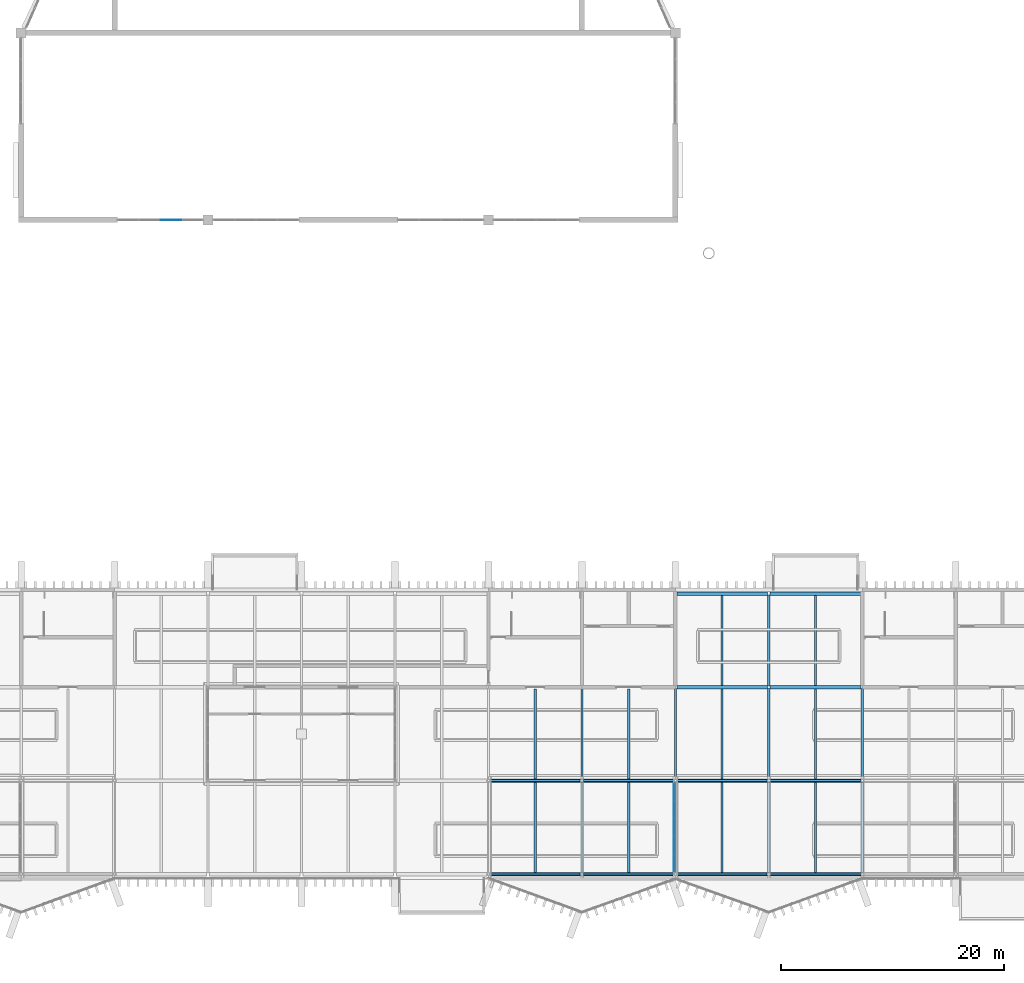
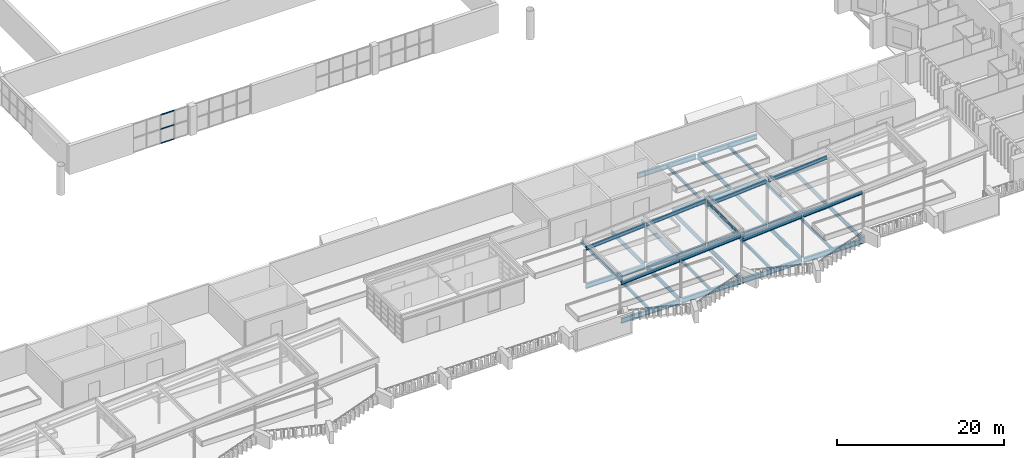
# One storey, part 16 of 51: 39 beams, 18 members, 2 elements without a shape of their own.
"""IFC4 building model written with IfcOpenShell, lengths in metres."""

from ifc_helpers import new_model, si_unit, direction, frame, origin, origin_2d, place, context, subcontext, project, spatial, rectangle, i_section, extrude, material, layer, layer_set, material_profile, profile_set, type_object, element, aggregate, save


model = new_model("IFC4")

# Units and contexts
model_context = context("Model", 3, precision=1e-05, world=origin(), true_north=direction((0.0, 1.0)))
body_context = subcontext(model_context, "Body", "Model", "MODEL_VIEW")
ifc_project = project(units=[si_unit("LENGTHUNIT", "METRE"), si_unit("AREAUNIT", "SQUARE_METRE"), si_unit("VOLUMEUNIT", "CUBIC_METRE"), si_unit("PLANEANGLEUNIT", "RADIAN"), si_unit("MASSUNIT", "GRAM", prefix="KILO")], contexts=[model_context])

# Site, building, storey
site_placement = place(None, origin())
site = spatial("IfcSite", under=ifc_project, at=site_placement, CompositionType="ELEMENT")
building_placement = place(site_placement, origin())
building = spatial("IfcBuilding", under=site, at=building_placement, Name="Cresset Court Congress Hotel", CompositionType="ELEMENT")
storey_placement = place(building_placement, frame((0.0, 0.0, 18.60009765625)))
storey = spatial("IfcBuildingStorey", under=building, at=storey_placement, Name="L04", CompositionType="ELEMENT", Elevation=18.60009765625)

# Curtain wall, members
ifc_material_1 = material(Name="Aluminium frame with double glazing", Category="aluminium")
ifc_layer_1 = layer(ifc_material_1, 0.199951171875)
ifc_layer_set_1 = layer_set([ifc_layer_1], Name="Glazed box curtain wall 1680 module")
curtain_wall_type_1 = type_object("IfcCurtainWallType", Name="Glazed box curtain wall 1680 module", PredefinedType="NOTDEFINED", material=ifc_layer_set_1)
curtain_wall_1_placement = place(storey_placement, origin())
curtain_wall_1 = element("IfcCurtainWall", 1, at=curtain_wall_1_placement, inside=storey, type_object=curtain_wall_type_1, Name="Roof light face 4", PredefinedType="NOTDEFINED")
ifc_material_2 = material(Name="Aluminium", Category="aluminium")
ifc_material_profile_1 = material_profile(ifc_material_2, rectangle(XDim=0.06005859375, YDim=0.1201171875, at=origin_2d()), Name="Box transom 60x120")
ifc_profile_set_1 = profile_set([ifc_material_profile_1], Name="Aluminium")
member_type_1 = type_object("IfcMemberType", Name="Box transom 60x120", PredefinedType="USERDEFINED", material=ifc_profile_set_1)
member_1_placement = place(storey_placement, frame((117.5, 0.260009765625, 5.929931640625), z_axis=(0.0, 1.0, 0.0), x_axis=(-1.0, 0.0, 0.0)))
member_1 = element("IfcMember", 2, at=member_1_placement, type_object=member_type_1, Name="B-X1 transom 1.1", ObjectType="TRANSOM", PredefinedType="USERDEFINED", context=body_context, shape_type="SweptSolid", body=[
    extrude(rectangle(XDim=0.06005859375, YDim=0.1201171875, at=origin_2d()), origin(), (0.0, 0.0, 1.0), 1.510009765625),
])
member_2_placement = place(storey_placement, frame((117.5, 0.260009765625, 6.087890625), z_axis=(0.0, 1.0, 0.0), x_axis=(-1.0, 0.0, 0.0)))
member_2 = element("IfcMember", 3, at=member_2_placement, type_object=member_type_1, Name="B-X1 transom 1.2", ObjectType="TRANSOM", PredefinedType="USERDEFINED", context=body_context, shape_type="SweptSolid", body=[
    extrude(rectangle(XDim=0.06005859375, YDim=0.1201171875, at=origin_2d()), origin(), (0.0, 0.0, 1.0), 1.510009765625),
])
member_3_placement = place(storey_placement, frame((117.5, 0.260009765625, 6.245849609375), z_axis=(0.0, 1.0, 0.0), x_axis=(-1.0, 0.0, 0.0)))
member_3 = element("IfcMember", 4, at=member_3_placement, type_object=member_type_1, Name="B-X1 transom 1.3", ObjectType="TRANSOM", PredefinedType="USERDEFINED", context=body_context, shape_type="SweptSolid", body=[
    extrude(rectangle(XDim=0.06005859375, YDim=0.1201171875, at=origin_2d()), origin(), (0.0, 0.0, 1.0), 1.510009765625),
])
member_4_placement = place(storey_placement, frame((117.5, 1.830078125, 5.929931640625), z_axis=(0.0, 1.0, 0.0), x_axis=(-1.0, 0.0, 0.0)))
member_4 = element("IfcMember", 5, at=member_4_placement, type_object=member_type_1, Name="B-X1 transom 2.1", ObjectType="TRANSOM", PredefinedType="USERDEFINED", context=body_context, shape_type="SweptSolid", body=[
    extrude(rectangle(XDim=0.06005859375, YDim=0.1201171875, at=origin_2d()), origin(), (0.0, 0.0, 1.0), 1.5400390625),
])
member_5_placement = place(storey_placement, frame((117.5, 1.830078125, 6.087890625), z_axis=(0.0, 1.0, 0.0), x_axis=(-1.0, 0.0, 0.0)))
member_5 = element("IfcMember", 6, at=member_5_placement, type_object=member_type_1, Name="B-X1 transom 2.2", ObjectType="TRANSOM", PredefinedType="USERDEFINED", context=body_context, shape_type="SweptSolid", body=[
    extrude(rectangle(XDim=0.06005859375, YDim=0.1201171875, at=origin_2d()), origin(), (0.0, 0.0, 1.0), 1.5400390625),
])
member_6_placement = place(storey_placement, frame((117.5, 1.830078125, 6.245849609375), z_axis=(0.0, 1.0, 0.0), x_axis=(-1.0, 0.0, 0.0)))
member_6 = element("IfcMember", 7, at=member_6_placement, type_object=member_type_1, Name="B-X1 transom 2.3", ObjectType="TRANSOM", PredefinedType="USERDEFINED", context=body_context, shape_type="SweptSolid", body=[
    extrude(rectangle(XDim=0.06005859375, YDim=0.1201171875, at=origin_2d()), origin(), (0.0, 0.0, 1.0), 1.5400390625),
])
member_7_placement = place(storey_placement, frame((117.5, 3.429931640625, 5.929931640625), z_axis=(0.0, 1.0, 0.0), x_axis=(-1.0, 0.0, 0.0)))
member_7 = element("IfcMember", 8, at=member_7_placement, type_object=member_type_1, Name="B-X1 transom 3.1", ObjectType="TRANSOM", PredefinedType="USERDEFINED", context=body_context, shape_type="SweptSolid", body=[
    extrude(rectangle(XDim=0.06005859375, YDim=0.1201171875, at=origin_2d()), origin(), (0.0, 0.0, 1.0), 1.5400390625),
])
member_8_placement = place(storey_placement, frame((117.5, 3.429931640625, 6.087890625), z_axis=(0.0, 1.0, 0.0), x_axis=(-1.0, 0.0, 0.0)))
member_8 = element("IfcMember", 9, at=member_8_placement, type_object=member_type_1, Name="B-X1 transom 3.2", ObjectType="TRANSOM", PredefinedType="USERDEFINED", context=body_context, shape_type="SweptSolid", body=[
    extrude(rectangle(XDim=0.06005859375, YDim=0.1201171875, at=origin_2d()), origin(), (0.0, 0.0, 1.0), 1.5400390625),
])
member_9_placement = place(storey_placement, frame((117.5, 3.429931640625, 6.245849609375), z_axis=(0.0, 1.0, 0.0), x_axis=(-1.0, 0.0, 0.0)))
member_9 = element("IfcMember", 10, at=member_9_placement, type_object=member_type_1, Name="B-X1 transom 3.3", ObjectType="TRANSOM", PredefinedType="USERDEFINED", context=body_context, shape_type="SweptSolid", body=[
    extrude(rectangle(XDim=0.06005859375, YDim=0.1201171875, at=origin_2d()), origin(), (0.0, 0.0, 1.0), 1.5400390625),
])
member_10_placement = place(storey_placement, frame((117.5, 5.030029296875, 5.929931640625), z_axis=(0.0, 1.0, 0.0), x_axis=(-1.0, 0.0, 0.0)))
member_10 = element("IfcMember", 11, at=member_10_placement, type_object=member_type_1, Name="B-X1 transom 4.1", ObjectType="TRANSOM", PredefinedType="USERDEFINED", context=body_context, shape_type="SweptSolid", body=[
    extrude(rectangle(XDim=0.06005859375, YDim=0.1201171875, at=origin_2d()), origin(), (0.0, 0.0, 1.0), 1.5400390625),
])
member_11_placement = place(storey_placement, frame((117.5, 5.030029296875, 6.087890625), z_axis=(0.0, 1.0, 0.0), x_axis=(-1.0, 0.0, 0.0)))
member_11 = element("IfcMember", 12, at=member_11_placement, type_object=member_type_1, Name="B-X1 transom 4.2", ObjectType="TRANSOM", PredefinedType="USERDEFINED", context=body_context, shape_type="SweptSolid", body=[
    extrude(rectangle(XDim=0.06005859375, YDim=0.1201171875, at=origin_2d()), origin(), (0.0, 0.0, 1.0), 1.5400390625),
])
member_12_placement = place(storey_placement, frame((117.5, 5.030029296875, 6.245849609375), z_axis=(0.0, 1.0, 0.0), x_axis=(-1.0, 0.0, 0.0)))
member_12 = element("IfcMember", 13, at=member_12_placement, type_object=member_type_1, Name="B-X1 transom 4.3", ObjectType="TRANSOM", PredefinedType="USERDEFINED", context=body_context, shape_type="SweptSolid", body=[
    extrude(rectangle(XDim=0.06005859375, YDim=0.1201171875, at=origin_2d()), origin(), (0.0, 0.0, 1.0), 1.5400390625),
])
member_13_placement = place(storey_placement, frame((117.5, 6.6298828125, 5.929931640625), z_axis=(0.0, 1.0, 0.0), x_axis=(-1.0, 0.0, 0.0)))
member_13 = element("IfcMember", 14, at=member_13_placement, type_object=member_type_1, Name="B-X1 transom 5.1", ObjectType="TRANSOM", PredefinedType="USERDEFINED", context=body_context, shape_type="SweptSolid", body=[
    extrude(rectangle(XDim=0.06005859375, YDim=0.1201171875, at=origin_2d()), origin(), (0.0, 0.0, 1.0), 1.510009765625),
])
member_14_placement = place(storey_placement, frame((117.5, 6.6298828125, 6.087890625), z_axis=(0.0, 1.0, 0.0), x_axis=(-1.0, 0.0, 0.0)))
member_14 = element("IfcMember", 15, at=member_14_placement, type_object=member_type_1, Name="B-X1 transom 5.2", ObjectType="TRANSOM", PredefinedType="USERDEFINED", context=body_context, shape_type="SweptSolid", body=[
    extrude(rectangle(XDim=0.06005859375, YDim=0.1201171875, at=origin_2d()), origin(), (0.0, 0.0, 1.0), 1.510009765625),
])
member_15_placement = place(storey_placement, frame((117.5, 6.6298828125, 6.245849609375), z_axis=(0.0, 1.0, 0.0), x_axis=(-1.0, 0.0, 0.0)))
member_15 = element("IfcMember", 16, at=member_15_placement, type_object=member_type_1, Name="B-X1 transom 5.3", ObjectType="TRANSOM", PredefinedType="USERDEFINED", context=body_context, shape_type="SweptSolid", body=[
    extrude(rectangle(XDim=0.06005859375, YDim=0.1201171875, at=origin_2d()), origin(), (0.0, 0.0, 1.0), 1.510009765625),
])
aggregate(curtain_wall_1, [member_1, member_2, member_3, member_4, member_5, member_6, member_7, member_8, member_9, member_10, member_11, member_12, member_13, member_14, member_15])

ifc_material_3 = material(Name="Aluminium and glass", Category="aluminium")
ifc_layer_2 = layer(ifc_material_3, 0.199951171875)
ifc_layer_set_2 = layer_set([ifc_layer_2], Name="Clerestory curtain wall 1925 module")
curtain_wall_type_2 = type_object("IfcCurtainWallType", Name="Clerestory curtain wall 1925 module", PredefinedType="NOTDEFINED", material=ifc_layer_set_2)
curtain_wall_2_placement = place(storey_placement, origin())
curtain_wall_2 = element("IfcCurtainWall", 17, at=curtain_wall_2_placement, inside=storey, type_object=curtain_wall_type_2, Name="Clerestory CX-04S1", PredefinedType="NOTDEFINED")
ifc_material_4 = material(Name="Anodised aluminium", Category="aluminium")
ifc_material_profile_2 = material_profile(ifc_material_4, rectangle(XDim=0.06005859375, YDim=0.1201171875, at=origin_2d()), Name="AL60x120")
ifc_profile_set_2 = profile_set([ifc_material_profile_2], Name="Anodised aluminium")
member_type_2 = type_object("IfcMemberType", Name="Curtain wall transom 60x120", PredefinedType="USERDEFINED", material=ifc_profile_set_2)
member_16_placement = place(storey_placement, frame((71.330078125, 58.800048828125, 0.02978515625), z_axis=(1.0, 0.0, 0.0), x_axis=(0.0, 1.0, 0.0)))
member_16 = element("IfcMember", 18, at=member_16_placement, type_object=member_type_2, Name="C-X5 transom 3.1", ObjectType="TRANSOM", PredefinedType="USERDEFINED", context=body_context, shape_type="SweptSolid", body=[
    extrude(rectangle(XDim=0.06005859375, YDim=0.1201171875, at=origin_2d()), origin(), (0.0, 0.0, 1.0), 1.864990234375),
])
member_17_placement = place(storey_placement, frame((71.330078125, 58.800048828125, 2.099853515625), z_axis=(1.0, 0.0, 0.0), x_axis=(0.0, 1.0, 0.0)))
member_17 = element("IfcMember", 19, at=member_17_placement, type_object=member_type_2, Name="C-X5 transom 3.2", ObjectType="TRANSOM", PredefinedType="USERDEFINED", context=body_context, shape_type="SweptSolid", body=[
    extrude(rectangle(XDim=0.06005859375, YDim=0.1201171875, at=origin_2d()), origin(), (0.0, 0.0, 1.0), 1.864990234375),
])
member_18_placement = place(storey_placement, frame((71.330078125, 58.800048828125, 4.169921875), z_axis=(1.0, 0.0, 0.0), x_axis=(0.0, 1.0, 0.0)))
member_18 = element("IfcMember", 20, at=member_18_placement, type_object=member_type_2, Name="C-X5 transom 3.3", ObjectType="TRANSOM", PredefinedType="USERDEFINED", context=body_context, shape_type="SweptSolid", body=[
    extrude(rectangle(XDim=0.06005859375, YDim=0.1201171875, at=origin_2d()), origin(), (0.0, 0.0, 1.0), 1.864990234375),
])
aggregate(curtain_wall_2, [member_16, member_17, member_18])

# Beams
ifc_material_5 = material(Name="Structural steel Q355B", Category="steel")
ifc_material_profile_3 = material_profile(ifc_material_5, i_section(OverallWidth=0.199951171875, OverallDepth=0.5, WebThickness=0.010009765625, FlangeThickness=0.01611328125, FilletRadius=0.012939453125, at=origin_2d()), Name="HN500x200x10x16")
ifc_profile_set_3 = profile_set([ifc_material_profile_3], Name="Structural steel Q355B")
beam_type_1 = type_object("IfcBeamType", Name="Roof rafter HN500x200x10x16", PredefinedType="BEAM", material=ifc_profile_set_3)
for number, where, z_axis, x_axis, name in (
    (21, (100.9365234375, 0.0, 4.859619140625), (0.997561388045, 0.0, 0.06979453475), (0.0, 1.0, 0.0), "Roof rafter 4"),
    (22, (100.9365234375, 8.39990234375, 4.859619140625), (0.997561388045, 0.0, 0.06979453475), (0.0, 1.0, 0.0), "Roof rafter 4"),
    (23, (109.33642578125, 0.0, 5.447509765625), (0.99755930113, 0.0, 0.069824356274), (0.0, 1.0, 0.0), "Roof rafter 4"),
    (24, (109.33642578125, 8.39990234375, 5.447509765625), (0.99755930113, 0.0, 0.069824356274), (0.0, 1.0, 0.0), "Roof rafter 4"),
    (25, (117.736572265625, 0.0, 5.359619140625), (0.997561388045, 0.0, 0.06979453475), (0.0, 1.0, 0.0), "Roof rafter 5"),
    (26, (117.736572265625, 8.39990234375, 5.359619140625), (0.997561388045, 0.0, 0.06979453475), (0.0, 1.0, 0.0), "Roof rafter 5"),
    (27, (126.136474609375, 0.0, 5.947509765625), (0.99755930113, 0.0, 0.069824356274), (0.0, 1.0, 0.0), "Roof rafter 5"),
    (28, (126.136474609375, 8.39990234375, 5.947509765625), (0.99755930113, 0.0, 0.069824356274), (0.0, 1.0, 0.0), "Roof rafter 5"),
):
    element("IfcBeam", number, at=place(storey_placement, frame(where, z_axis=z_axis, x_axis=x_axis)), inside=storey, type_object=beam_type_1, Name=name, PredefinedType="BEAM", context=body_context, shape_type="SweptSolid", body=[
        extrude(i_section(OverallWidth=0.199951171875, OverallDepth=0.5, WebThickness=0.010009765625, FlangeThickness=0.01611328125, FilletRadius=0.012939453125, at=origin_2d()), origin(), (0.0, 0.0, 1.0), 8.146728515625),
    ])
ifc_material_6 = material(Name="Structural steel Q355B", Category="steel")
ifc_material_profile_4 = material_profile(ifc_material_6, i_section(OverallWidth=0.199951171875, OverallDepth=0.60009765625, WebThickness=0.010986328125, FlangeThickness=0.01708984375, FilletRadius=0.012939453125, at=origin_2d()), Name="HN600x200x11x17")
ifc_profile_set_4 = profile_set([ifc_material_profile_4], Name="Structural steel Q355B")
beam_type_2 = type_object("IfcBeamType", Name="Steel beam HN600x200x11x17", PredefinedType="BEAM", material=ifc_profile_set_4)
beam_1_placement = place(storey_placement, frame((109.199951171875, 0.125, -0.550048828125), z_axis=(0.0, 1.0, 0.0), x_axis=(-1.0, 0.0, 0.0)))
element("IfcBeam", 29, at=beam_1_placement, inside=storey, type_object=beam_type_2, Name="B.by.L04.14A", PredefinedType="BEAM", context=body_context, shape_type="SweptSolid", body=[
    extrude(i_section(OverallWidth=0.199951171875, OverallDepth=0.60009765625, WebThickness=0.010986328125, FlangeThickness=0.01708984375, FilletRadius=0.012939453125, at=origin_2d()), origin(), (0.0, 0.0, 1.0), 8.14990234375),
])
beam_2_placement = place(storey_placement, frame((109.199951171875, 8.52490234375, -0.550048828125), z_axis=(0.0, 1.0, 0.0), x_axis=(-1.0, 0.0, 0.0)))
element("IfcBeam", 30, at=beam_2_placement, inside=storey, type_object=beam_type_2, Name="B.by.L04.14B", PredefinedType="BEAM", context=body_context, shape_type="SweptSolid", body=[
    extrude(i_section(OverallWidth=0.199951171875, OverallDepth=0.60009765625, WebThickness=0.010986328125, FlangeThickness=0.01708984375, FilletRadius=0.012939453125, at=origin_2d()), origin(), (0.0, 0.0, 1.0), 8.150146484375),
])
beam_3_placement = place(storey_placement, frame((117.60009765625, 0.125, -0.550048828125), z_axis=(0.0, 1.0, 0.0), x_axis=(-1.0, 0.0, 0.0)))
element("IfcBeam", 31, at=beam_3_placement, inside=storey, type_object=beam_type_2, Name="B.by.L04.15A", PredefinedType="BEAM", context=body_context, shape_type="SweptSolid", body=[
    extrude(i_section(OverallWidth=0.199951171875, OverallDepth=0.60009765625, WebThickness=0.010986328125, FlangeThickness=0.01708984375, FilletRadius=0.012939453125, at=origin_2d()), origin(), (0.0, 0.0, 1.0), 8.14990234375),
])
beam_4_placement = place(storey_placement, frame((117.60009765625, 8.52490234375, -0.550048828125), z_axis=(0.0, 1.0, 0.0), x_axis=(-1.0, 0.0, 0.0)))
element("IfcBeam", 32, at=beam_4_placement, inside=storey, type_object=beam_type_2, Name="B.by.L04.15B", PredefinedType="BEAM", context=body_context, shape_type="SweptSolid", body=[
    extrude(i_section(OverallWidth=0.199951171875, OverallDepth=0.60009765625, WebThickness=0.010986328125, FlangeThickness=0.01708984375, FilletRadius=0.012939453125, at=origin_2d()), origin(), (0.0, 0.0, 1.0), 8.150146484375),
])
beam_5_placement = place(storey_placement, frame((126.0, 0.125, -0.550048828125), z_axis=(0.0, 1.0, 0.0), x_axis=(-1.0, 0.0, 0.0)))
element("IfcBeam", 33, at=beam_5_placement, inside=storey, type_object=beam_type_2, Name="B.by.L04.16A", PredefinedType="BEAM", context=body_context, shape_type="SweptSolid", body=[
    extrude(i_section(OverallWidth=0.199951171875, OverallDepth=0.60009765625, WebThickness=0.010986328125, FlangeThickness=0.01708984375, FilletRadius=0.012939453125, at=origin_2d()), origin(), (0.0, 0.0, 1.0), 8.14990234375),
])
beam_6_placement = place(storey_placement, frame((126.0, 8.52490234375, -0.550048828125), z_axis=(0.0, 1.0, 0.0), x_axis=(-1.0, 0.0, 0.0)))
element("IfcBeam", 34, at=beam_6_placement, inside=storey, type_object=beam_type_2, Name="B.by.L04.16B", PredefinedType="BEAM", context=body_context, shape_type="SweptSolid", body=[
    extrude(i_section(OverallWidth=0.199951171875, OverallDepth=0.60009765625, WebThickness=0.010986328125, FlangeThickness=0.01708984375, FilletRadius=0.012939453125, at=origin_2d()), origin(), (0.0, 0.0, 1.0), 8.150146484375),
])
for number, where, z_axis, x_axis, name in (
    (35, (126.0, 16.925048828125, -0.550048828125), (0.0, 1.0, 0.0), (-1.0, 0.0, 0.0), "B.by.L04.16C"),
    (36, (134.39990234375, 0.125, -0.550048828125), (0.0, 1.0, 0.0), (-1.0, 0.0, 0.0), "B.by.L04.17A"),
):
    element("IfcBeam", number, at=place(storey_placement, frame(where, z_axis=z_axis, x_axis=x_axis)), inside=storey, type_object=beam_type_2, Name=name, PredefinedType="BEAM", context=body_context, shape_type="SweptSolid", body=[
        extrude(i_section(OverallWidth=0.199951171875, OverallDepth=0.60009765625, WebThickness=0.010986328125, FlangeThickness=0.01708984375, FilletRadius=0.012939453125, at=origin_2d()), origin(), (0.0, 0.0, 1.0), 8.14990234375),
    ])
beam_7_placement = place(storey_placement, frame((134.39990234375, 8.52490234375, -0.550048828125), z_axis=(0.0, 1.0, 0.0), x_axis=(-1.0, 0.0, 0.0)))
element("IfcBeam", 37, at=beam_7_placement, inside=storey, type_object=beam_type_2, Name="B.by.L04.17B", PredefinedType="BEAM", context=body_context, shape_type="SweptSolid", body=[
    extrude(i_section(OverallWidth=0.199951171875, OverallDepth=0.60009765625, WebThickness=0.010986328125, FlangeThickness=0.01708984375, FilletRadius=0.012939453125, at=origin_2d()), origin(), (0.0, 0.0, 1.0), 8.150146484375),
])
ifc_material_7 = material(Name="Structural steel Q355B", Category="steel")
ifc_material_profile_5 = material_profile(ifc_material_7, i_section(OverallWidth=0.300048828125, OverallDepth=0.699951171875, WebThickness=0.012939453125, FlangeThickness=0.02392578125, FilletRadius=0.01806640625, at=origin_2d()), Name="HN700x300x13x24")
ifc_profile_set_5 = profile_set([ifc_material_profile_5], Name="Structural steel Q355B")
beam_type_3 = type_object("IfcBeamType", Name="Steel beam HN700x300x13x24", PredefinedType="BEAM", material=ifc_profile_set_5)
beam_8_placement = place(storey_placement, frame((100.925048828125, 0.0, -0.60009765625), z_axis=(1.0, 0.0, 0.0), x_axis=(0.0, 1.0, 0.0)))
element("IfcBeam", 38, at=beam_8_placement, inside=storey, type_object=beam_type_3, Name="B.bx.L04.A13", PredefinedType="BEAM", context=body_context, shape_type="SweptSolid", body=[
    extrude(i_section(OverallWidth=0.300048828125, OverallDepth=0.699951171875, WebThickness=0.012939453125, FlangeThickness=0.02392578125, FilletRadius=0.01806640625, at=origin_2d()), origin(), (0.0, 0.0, 1.0), 8.14990234375),
])
beam_9_placement = place(storey_placement, frame((109.324951171875, 0.0, -0.60009765625), z_axis=(1.0, 0.0, 0.0), x_axis=(0.0, 1.0, 0.0)))
element("IfcBeam", 39, at=beam_9_placement, inside=storey, type_object=beam_type_3, Name="B.bx.L04.A14", PredefinedType="BEAM", context=body_context, shape_type="SweptSolid", body=[
    extrude(i_section(OverallWidth=0.300048828125, OverallDepth=0.699951171875, WebThickness=0.012939453125, FlangeThickness=0.02392578125, FilletRadius=0.01806640625, at=origin_2d()), origin(), (0.0, 0.0, 1.0), 8.150146484375),
])
for number, where, z_axis, x_axis, name in (
    (40, (117.72509765625, 0.0, -0.60009765625), (1.0, 0.0, 0.0), (0.0, 1.0, 0.0), "B.bx.L04.A15"),
    (41, (126.125, 0.0, -0.60009765625), (1.0, 0.0, 0.0), (0.0, 1.0, 0.0), "B.bx.L04.A16"),
    (42, (100.925048828125, 8.39990234375, -0.60009765625), (1.0, 0.0, 0.0), (0.0, 1.0, 0.0), "B.bx.L04.B13"),
):
    element("IfcBeam", number, at=place(storey_placement, frame(where, z_axis=z_axis, x_axis=x_axis)), inside=storey, type_object=beam_type_3, Name=name, PredefinedType="BEAM", context=body_context, shape_type="SweptSolid", body=[
        extrude(i_section(OverallWidth=0.300048828125, OverallDepth=0.699951171875, WebThickness=0.012939453125, FlangeThickness=0.02392578125, FilletRadius=0.01806640625, at=origin_2d()), origin(), (0.0, 0.0, 1.0), 8.14990234375),
    ])
beam_10_placement = place(storey_placement, frame((109.324951171875, 8.39990234375, -0.60009765625), z_axis=(1.0, 0.0, 0.0), x_axis=(0.0, 1.0, 0.0)))
element("IfcBeam", 43, at=beam_10_placement, inside=storey, type_object=beam_type_3, Name="B.bx.L04.B14", PredefinedType="BEAM", context=body_context, shape_type="SweptSolid", body=[
    extrude(i_section(OverallWidth=0.300048828125, OverallDepth=0.699951171875, WebThickness=0.012939453125, FlangeThickness=0.02392578125, FilletRadius=0.01806640625, at=origin_2d()), origin(), (0.0, 0.0, 1.0), 8.150146484375),
])
for number, where, z_axis, x_axis, name in (
    (44, (117.72509765625, 8.39990234375, -0.60009765625), (1.0, 0.0, 0.0), (0.0, 1.0, 0.0), "B.bx.L04.B15"),
    (45, (126.125, 8.39990234375, -0.60009765625), (1.0, 0.0, 0.0), (0.0, 1.0, 0.0), "B.bx.L04.B16"),
    (46, (117.72509765625, 16.800048828125, -0.60009765625), (1.0, 0.0, 0.0), (0.0, 1.0, 0.0), "B.bx.L04.C15"),
    (47, (126.125, 16.800048828125, -0.60009765625), (1.0, 0.0, 0.0), (0.0, 1.0, 0.0), "B.bx.L04.C16"),
    (48, (117.72509765625, 25.199951171875, -0.60009765625), (1.0, 0.0, 0.0), (0.0, 1.0, 0.0), "B.bx.L04.D15"),
    (49, (126.125, 25.199951171875, -0.60009765625), (1.0, 0.0, 0.0), (0.0, 1.0, 0.0), "B.bx.L04.D16"),
):
    element("IfcBeam", number, at=place(storey_placement, frame(where, z_axis=z_axis, x_axis=x_axis)), inside=storey, type_object=beam_type_3, Name=name, PredefinedType="BEAM", context=body_context, shape_type="SweptSolid", body=[
        extrude(i_section(OverallWidth=0.300048828125, OverallDepth=0.699951171875, WebThickness=0.012939453125, FlangeThickness=0.02392578125, FilletRadius=0.01806640625, at=origin_2d()), origin(), (0.0, 0.0, 1.0), 8.14990234375),
    ])
ifc_material_8 = material(Name="Structural steel Q355B", Category="steel")
ifc_material_profile_6 = material_profile(ifc_material_8, i_section(OverallWidth=0.199951171875, OverallDepth=0.449951171875, WebThickness=0.009033203125, FlangeThickness=0.013916015625, FilletRadius=0.012939453125, at=origin_2d()), Name="HN450x200x9x14")
ifc_profile_set_6 = profile_set([ifc_material_profile_6], Name="Structural steel Q355B")
beam_type_4 = type_object("IfcBeamType", Name="Steel joist HN450x200x9x14", PredefinedType="JOIST", material=ifc_profile_set_6)
beam_11_placement = place(storey_placement, frame((105.0, 0.14990234375, -0.47509765625), z_axis=(0.0, 1.0, 0.0), x_axis=(-1.0, 0.0, 0.0)))
element("IfcBeam", 50, at=beam_11_placement, inside=storey, type_object=beam_type_4, Name="B.bj.L04.13A", PredefinedType="JOIST", context=body_context, shape_type="SweptSolid", body=[
    extrude(i_section(OverallWidth=0.199951171875, OverallDepth=0.449951171875, WebThickness=0.009033203125, FlangeThickness=0.013916015625, FilletRadius=0.012939453125, at=origin_2d()), origin(), (0.0, 0.0, 1.0), 8.10009765625),
])
beam_12_placement = place(storey_placement, frame((105.0, 8.550048828125, -0.47509765625), z_axis=(0.0, 1.0, 0.0), x_axis=(-1.0, 0.0, 0.0)))
element("IfcBeam", 51, at=beam_12_placement, inside=storey, type_object=beam_type_4, Name="B.bj.L04.13B", PredefinedType="JOIST", context=body_context, shape_type="SweptSolid", body=[
    extrude(i_section(OverallWidth=0.199951171875, OverallDepth=0.449951171875, WebThickness=0.009033203125, FlangeThickness=0.013916015625, FilletRadius=0.012939453125, at=origin_2d()), origin(), (0.0, 0.0, 1.0), 8.099853515625),
])
beam_13_placement = place(storey_placement, frame((113.39990234375, 0.14990234375, -0.47509765625), z_axis=(0.0, 1.0, 0.0), x_axis=(-1.0, 0.0, 0.0)))
element("IfcBeam", 52, at=beam_13_placement, inside=storey, type_object=beam_type_4, Name="B.bj.L04.14A", PredefinedType="JOIST", context=body_context, shape_type="SweptSolid", body=[
    extrude(i_section(OverallWidth=0.199951171875, OverallDepth=0.449951171875, WebThickness=0.009033203125, FlangeThickness=0.013916015625, FilletRadius=0.012939453125, at=origin_2d()), origin(), (0.0, 0.0, 1.0), 8.10009765625),
])
beam_14_placement = place(storey_placement, frame((113.39990234375, 8.550048828125, -0.47509765625), z_axis=(0.0, 1.0, 0.0), x_axis=(-1.0, 0.0, 0.0)))
element("IfcBeam", 53, at=beam_14_placement, inside=storey, type_object=beam_type_4, Name="B.bj.L04.14B", PredefinedType="JOIST", context=body_context, shape_type="SweptSolid", body=[
    extrude(i_section(OverallWidth=0.199951171875, OverallDepth=0.449951171875, WebThickness=0.009033203125, FlangeThickness=0.013916015625, FilletRadius=0.012939453125, at=origin_2d()), origin(), (0.0, 0.0, 1.0), 8.099853515625),
])
beam_15_placement = place(storey_placement, frame((121.800048828125, 0.14990234375, -0.47509765625), z_axis=(0.0, 1.0, 0.0), x_axis=(-1.0, 0.0, 0.0)))
element("IfcBeam", 54, at=beam_15_placement, inside=storey, type_object=beam_type_4, Name="B.bj.L04.15A", PredefinedType="JOIST", context=body_context, shape_type="SweptSolid", body=[
    extrude(i_section(OverallWidth=0.199951171875, OverallDepth=0.449951171875, WebThickness=0.009033203125, FlangeThickness=0.013916015625, FilletRadius=0.012939453125, at=origin_2d()), origin(), (0.0, 0.0, 1.0), 8.10009765625),
])
beam_16_placement = place(storey_placement, frame((121.800048828125, 8.550048828125, -0.47509765625), z_axis=(0.0, 1.0, 0.0), x_axis=(-1.0, 0.0, 0.0)))
element("IfcBeam", 55, at=beam_16_placement, inside=storey, type_object=beam_type_4, Name="B.bj.L04.15B", PredefinedType="JOIST", context=body_context, shape_type="SweptSolid", body=[
    extrude(i_section(OverallWidth=0.199951171875, OverallDepth=0.449951171875, WebThickness=0.009033203125, FlangeThickness=0.013916015625, FilletRadius=0.012939453125, at=origin_2d()), origin(), (0.0, 0.0, 1.0), 8.099853515625),
])
for number, where, z_axis, x_axis, name in (
    (56, (121.800048828125, 16.949951171875, -0.47509765625), (0.0, 1.0, 0.0), (-1.0, 0.0, 0.0), "B.bj.L04.15C"),
    (57, (130.199951171875, 0.14990234375, -0.47509765625), (0.0, 1.0, 0.0), (-1.0, 0.0, 0.0), "B.bj.L04.16A"),
):
    element("IfcBeam", number, at=place(storey_placement, frame(where, z_axis=z_axis, x_axis=x_axis)), inside=storey, type_object=beam_type_4, Name=name, PredefinedType="JOIST", context=body_context, shape_type="SweptSolid", body=[
        extrude(i_section(OverallWidth=0.199951171875, OverallDepth=0.449951171875, WebThickness=0.009033203125, FlangeThickness=0.013916015625, FilletRadius=0.012939453125, at=origin_2d()), origin(), (0.0, 0.0, 1.0), 8.10009765625),
    ])
beam_17_placement = place(storey_placement, frame((130.199951171875, 8.550048828125, -0.47509765625), z_axis=(0.0, 1.0, 0.0), x_axis=(-1.0, 0.0, 0.0)))
element("IfcBeam", 58, at=beam_17_placement, inside=storey, type_object=beam_type_4, Name="B.bj.L04.16B", PredefinedType="JOIST", context=body_context, shape_type="SweptSolid", body=[
    extrude(i_section(OverallWidth=0.199951171875, OverallDepth=0.449951171875, WebThickness=0.009033203125, FlangeThickness=0.013916015625, FilletRadius=0.012939453125, at=origin_2d()), origin(), (0.0, 0.0, 1.0), 8.099853515625),
])
beam_18_placement = place(storey_placement, frame((130.199951171875, 16.949951171875, -0.47509765625), z_axis=(0.0, 1.0, 0.0), x_axis=(-1.0, 0.0, 0.0)))
element("IfcBeam", 59, at=beam_18_placement, inside=storey, type_object=beam_type_4, Name="B.bj.L04.16C", PredefinedType="JOIST", context=body_context, shape_type="SweptSolid", body=[
    extrude(i_section(OverallWidth=0.199951171875, OverallDepth=0.449951171875, WebThickness=0.009033203125, FlangeThickness=0.013916015625, FilletRadius=0.012939453125, at=origin_2d()), origin(), (0.0, 0.0, 1.0), 8.10009765625),
])

save(model, "model.ifc")
